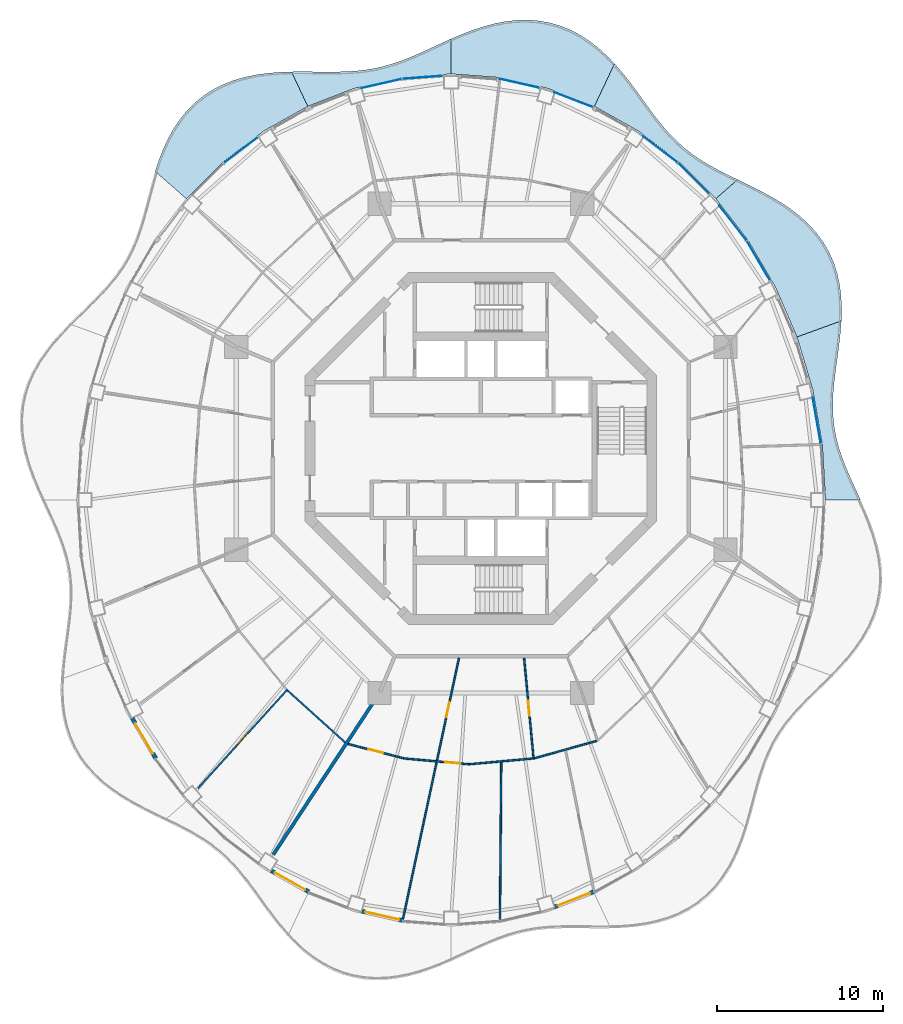
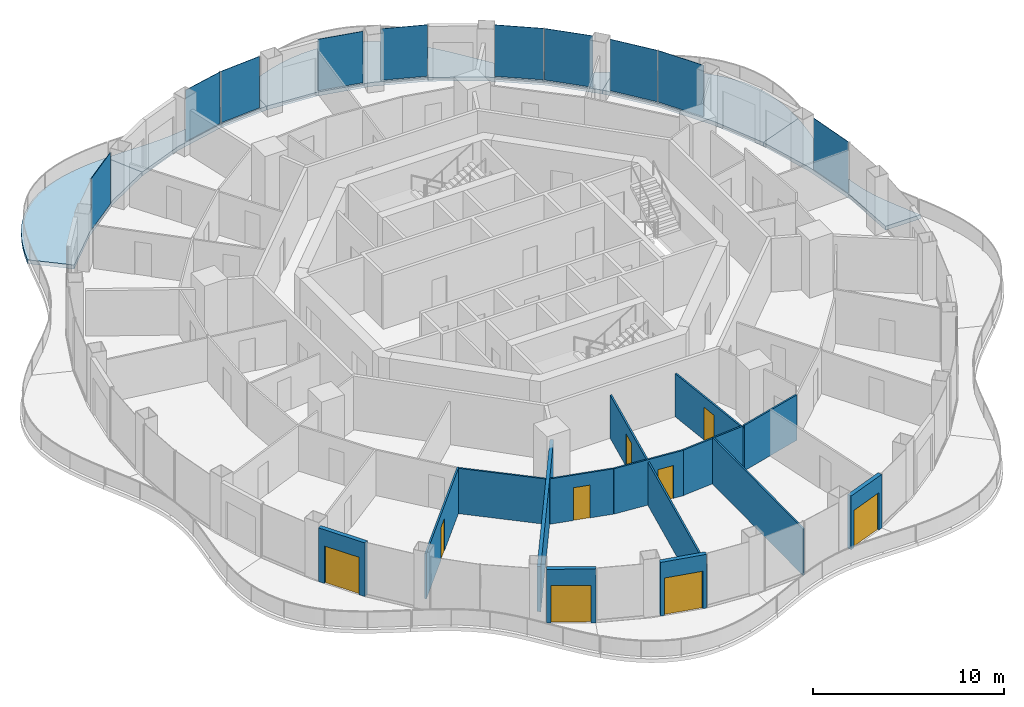
# One storey, part 9 of 17: 14 walls, 10 plates, 9 doors, 6 slabs, 9 openings, 10 elements without a shape of their own.
"""IFC4 building model written with IfcOpenShell, lengths in metres."""

from ifc_helpers import new_model, si_unit, direction, frame, frame_2d, origin, origin_2d, place, context, subcontext, project, spatial, polyline, rectangle, outline, extrude, material, layer, layer_set, type_object, element, fill, aggregate, save


model = new_model("IFC4")

# Units and contexts
model_context = context("Model", 3, precision=1e-05, world=origin(), true_north=direction((0.0, 1.0)))
body_context = subcontext(model_context, "Body", "Model", "MODEL_VIEW")
ifc_project = project(units=[si_unit("LENGTHUNIT", "METRE"), si_unit("AREAUNIT", "SQUARE_METRE"), si_unit("VOLUMEUNIT", "CUBIC_METRE"), si_unit("PLANEANGLEUNIT", "RADIAN"), si_unit("MASSUNIT", "GRAM", prefix="KILO")], contexts=[model_context])

# Site, building, storey
site_placement = place(None, origin())
site = spatial("IfcSite", under=ifc_project, at=site_placement, CompositionType="ELEMENT")
building_placement = place(site_placement, origin())
building = spatial("IfcBuilding", under=site, at=building_placement, Name="Nagisa Residences", CompositionType="ELEMENT")
storey_placement = place(building_placement, frame((0.0, 0.0, 291.800048828125)))
storey = spatial("IfcBuildingStorey", under=building, at=storey_placement, Name="L74", CompositionType="ELEMENT", Elevation=291.800048828125)

# Slabs
ifc_material_1 = material(Name="Concrete C40/50", Category="concrete")
ifc_layer_1 = layer(ifc_material_1, 0.25)
ifc_layer_set_1 = layer_set([ifc_layer_1], Name="BALCONY SLAB 250")
slab_type = type_object("IfcSlabType", Name="BALCONY SLAB 250", PredefinedType="FLOOR", material=ifc_layer_set_1)
slab_1_placement = place(storey_placement, frame((0.0, 0.0, -0.25)))
element("IfcSlab", 1, at=slab_1_placement, inside=storey, type_object=slab_type, Name="slab:L74:bal00", PredefinedType="FLOOR", context=body_context, shape_type="SweptSolid", body=[
    extrude(outline(polyline([(22.935302734375, -3.11767578125), (22.6279296875, -2.45068359375), (22.329345703125, -1.7958984375), (22.052001953125, -1.151123046875), (21.80615234375, -0.513916015625), (21.600830078125, 0.119384765625), (21.44140625, 0.7529296875), (21.33154296875, 1.390625), (21.271484375, 2.036376953125), (21.25830078125, 2.69384765625), (21.286865234375, 3.365478515625), (21.349365234375, 4.05322265625), (21.435546875, 4.757568359375), (21.533935546875, 5.477783203125), (21.6318359375, 6.211669921875), (21.7158203125, 6.9560546875), (21.772705078125, 7.7060546875), (19.09814453125, 6.732666015625), (20.04931640625, 3.544189453125), (20.62646484375, 0.241943359375), (20.820068359375, -3.11767578125), (22.935302734375, -3.11767578125)])), origin(), (0.0, 0.0, 1.0), 0.25),
])
slab_2_placement = place(storey_placement, frame((0.0, 0.0, -0.25)))
element("IfcSlab", 2, at=slab_2_placement, inside=storey, type_object=slab_type, Name="slab:L74:bal01", PredefinedType="FLOOR", context=body_context, shape_type="SweptSolid", body=[
    extrude(outline(polyline([(21.772705078125, 7.7060546875), (21.79052734375, 8.43310546875), (21.761474609375, 9.154541015625), (21.676513671875, 9.864013671875), (21.529541015625, 10.55517578125), (21.316162109375, 11.22216796875), (21.033935546875, 11.859375), (20.683837890625, 12.4619140625), (20.268310546875, 13.0263671875), (19.792724609375, 13.550537109375), (19.263671875, 14.03369140625), (18.689697265625, 14.476806640625), (18.0810546875, 14.882568359375), (17.44775390625, 15.255126953125), (16.800537109375, 15.60009765625), (16.150146484375, 15.92431640625), (15.506103515625, 16.235595703125), (14.19482421875, 15.083251953125), (16.145751953125, 12.5517578125), (17.78955078125, 9.752197265625), (19.09814453125, 6.732666015625), (21.772705078125, 7.7060546875)])), origin(), (0.0, 0.0, 1.0), 0.25),
])
slab_3_placement = place(storey_placement, frame((0.0, 0.0, -0.25)))
element("IfcSlab", 3, at=slab_3_placement, inside=storey, type_object=slab_type, Name="slab:L74:bal02", PredefinedType="FLOOR", context=body_context, shape_type="SweptSolid", body=[
    extrude(outline(polyline([(15.506103515625, 16.235595703125), (14.90576171875, 16.52783203125), (14.3251953125, 16.823486328125), (13.7685546875, 17.12939453125), (13.2392578125, 17.4521484375), (12.73828125, 17.7978515625), (12.26513671875, 18.1708984375), (11.817626953125, 18.574462890625), (11.39208984375, 19.009765625), (10.983642578125, 19.47705078125), (10.586669921875, 19.973876953125), (10.1943359375, 20.496337890625), (9.800048828125, 21.03857421875), (9.396728515625, 21.593505859375), (8.97802734375, 22.15234375), (8.5380859375, 22.70556640625), (8.072265625, 23.242919921875), (6.856201171875, 20.6630859375), (9.510009765625, 19.173828125), (11.97021484375, 17.30322265625), (14.19482421875, 15.083251953125), (15.506103515625, 16.235595703125)])), origin(), (0.0, 0.0, 1.0), 0.25),
])
slab_4_placement = place(storey_placement, frame((0.0, 0.0, -0.25)))
element("IfcSlab", 4, at=slab_4_placement, inside=storey, type_object=slab_type, Name="slab:L74:bal03", PredefinedType="FLOOR", context=body_context, shape_type="SweptSolid", body=[
    extrude(outline(polyline([(8.072265625, 23.242919921875), (7.595703125, 23.73583984375), (7.089599609375, 24.195068359375), (6.5537109375, 24.61181640625), (5.988037109375, 24.978271484375), (5.394775390625, 25.287841796875), (4.7763671875, 25.53515625), (4.136962890625, 25.716796875), (3.48046875, 25.831298828125), (2.8125, 25.878662109375), (2.1376953125, 25.861572265625), (1.46142578125, 25.783935546875), (0.788330078125, 25.651611328125), (0.12255859375, 25.4716796875), (-0.5322265625, 25.253173828125), (-1.173583984375, 25.005126953125), (-1.800048828125, 24.737548828125), (-1.800048828125, 22.622314453125), (1.152587890625, 22.402099609375), (4.054443359375, 21.745361328125), (6.856201171875, 20.6630859375), (8.072265625, 23.242919921875)])), origin(), (0.0, 0.0, 1.0), 0.25),
])
slab_5_placement = place(storey_placement, frame((0.0, 0.0, -0.25)))
element("IfcSlab", 5, at=slab_5_placement, inside=storey, type_object=slab_type, Name="slab:L74:bal04", PredefinedType="FLOOR", context=body_context, shape_type="SweptSolid", body=[
    extrude(outline(polyline([(-1.800048828125, 24.737548828125), (-2.4111328125, 24.460693359375), (-3.007568359375, 24.184326171875), (-3.591064453125, 23.917236328125), (-4.164306640625, 23.667724609375), (-4.73046875, 23.4423828125), (-5.29345703125, 23.246337890625), (-5.857177734375, 23.083251953125), (-6.42578125, 22.954345703125), (-7.0029296875, 22.859130859375), (-7.592041015625, 22.79541015625), (-8.1953125, 22.759033203125), (-8.814453125, 22.74462890625), (-9.449951171875, 22.744873046875), (-10.10107421875, 22.751953125), (-10.765625, 22.757080078125), (-11.44091796875, 22.751708984375), (-10.456298828125, 20.6630859375), (-7.654541015625, 21.745361328125), (-4.75244140625, 22.402099609375), (-1.800048828125, 22.622314453125), (-1.800048828125, 24.737548828125)])), origin(), (0.0, 0.0, 1.0), 0.25),
])
slab_6_placement = place(storey_placement, frame((0.0, 0.0, -0.25)))
element("IfcSlab", 6, at=slab_6_placement, inside=storey, type_object=slab_type, Name="slab:L74:bal05", PredefinedType="FLOOR", context=body_context, shape_type="SweptSolid", body=[
    extrude(outline(polyline([(-11.44091796875, 22.751708984375), (-12.14794921875, 22.725341796875), (-12.8564453125, 22.66845703125), (-13.559326171875, 22.572509765625), (-14.25, 22.43017578125), (-14.9208984375, 22.235595703125), (-15.565185546875, 21.984619140625), (-16.176025390625, 21.67529296875), (-16.74755859375, 21.306884765625), (-17.275390625, 20.881103515625), (-17.756103515625, 20.401123046875), (-18.187744140625, 19.871826171875), (-18.57080078125, 19.299560546875), (-18.90673828125, 18.691650390625), (-19.19873046875, 18.0556640625), (-19.4521484375, 17.400390625), (-19.673095703125, 16.73388671875), (-17.794677734375, 15.083251953125), (-15.570068359375, 17.30322265625), (-13.110107421875, 19.173828125), (-10.456298828125, 20.6630859375), (-11.44091796875, 22.751708984375)])), origin(), (0.0, 0.0, 1.0), 0.25),
])

# Curtain wall, plate
ifc_material_2 = material(Name="Concrete-coloured aluminium curtain wall system", Category="concrete")
ifc_layer_2 = layer(ifc_material_2, 0.159912109375)
ifc_layer_set_2 = layer_set([ifc_layer_2], Name="CW1 CURTAIN WALL")
curtain_wall_type = type_object("IfcCurtainWallType", Name="CW1 CURTAIN WALL", PredefinedType="NOTDEFINED", material=ifc_layer_set_2)
curtain_wall_1_placement = place(storey_placement, origin())
curtain_wall_1 = element("IfcCurtainWall", 7, at=curtain_wall_1_placement, inside=storey, type_object=curtain_wall_type, Name="cw:CW1:L74:01", PredefinedType="NOTDEFINED")
ifc_material_3 = material(Name="Clear laminated glass", Category="glass")
ifc_layer_3 = layer(ifc_material_3, 0.028076171875)
ifc_layer_set_3 = layer_set([ifc_layer_3], Name="CW1 GLASS PANEL")
plate_type = type_object("IfcPlateType", Name="CW1 GLASS PANEL", PredefinedType="CURTAIN_PANEL", material=ifc_layer_set_3)
plate_1_placement = place(storey_placement, frame((20.292724609375, 1.687255859375, 0.14990234375), z_axis=(0.0, 0.0, 1.0), x_axis=(-0.172190868898, 0.985063604377, 0.0)))
plate_1 = element("IfcPlate", 8, at=plate_1_placement, type_object=plate_type, Name="CW1 panel", PredefinedType="CURTAIN_PANEL", context=body_context, shape_type="SweptSolid", body=[
    extrude(rectangle(XDim=2.84228515625, YDim=0.028076171875, at=origin_2d()), origin(), (0.0, 0.0, 1.0), 3.2900390625),
])
aggregate(curtain_wall_1, [plate_1])

curtain_wall_2_placement = place(storey_placement, origin())
curtain_wall_2 = element("IfcCurtainWall", 9, at=curtain_wall_2_placement, inside=storey, type_object=curtain_wall_type, Name="cw:CW1:L74:04", PredefinedType="NOTDEFINED")
plate_2_placement = place(storey_placement, frame((16.76953125, 11.33154296875, 0.14990234375), z_axis=(0.0, 0.0, 1.0), x_axis=(-0.506348567002, 0.862328898214, 0.0)))
plate_2 = element("IfcPlate", 10, at=plate_2_placement, type_object=plate_type, Name="CW1 panel", PredefinedType="CURTAIN_PANEL", context=body_context, shape_type="SweptSolid", body=[
    extrude(rectangle(XDim=2.736572265625, YDim=0.028076171875, at=origin_2d()), origin(), (0.0, 0.0, 1.0), 3.2900390625),
])
aggregate(curtain_wall_2, [plate_2])

curtain_wall_3_placement = place(storey_placement, origin())
curtain_wall_3 = element("IfcCurtainWall", 11, at=curtain_wall_3_placement, inside=storey, type_object=curtain_wall_type, Name="cw:CW1:L74:05", PredefinedType="NOTDEFINED")
plate_3_placement = place(storey_placement, frame((15.225830078125, 13.6142578125, 0.14990234375), z_axis=(0.0, 0.0, 1.0), x_axis=(-0.610429828235, 0.792070340816, 0.0)))
plate_3 = element("IfcPlate", 12, at=plate_3_placement, type_object=plate_type, Name="CW1 panel", PredefinedType="CURTAIN_PANEL", context=body_context, shape_type="SweptSolid", body=[
    extrude(rectangle(XDim=2.68603515625, YDim=0.028076171875, at=origin_2d()), origin(), (0.0, 0.0, 1.0), 3.2900390625),
])
aggregate(curtain_wall_3, [plate_3])

curtain_wall_4_placement = place(storey_placement, origin())
curtain_wall_4 = element("IfcCurtainWall", 13, at=curtain_wall_4_placement, inside=storey, type_object=curtain_wall_type, Name="cw:CW1:L74:06", PredefinedType="NOTDEFINED")
plate_4_placement = place(storey_placement, frame((12.845458984375, 16.316650390625, 0.14990234375), z_axis=(0.0, 0.0, 1.0), x_axis=(-0.707835924016, 0.706376885714, 0.0)))
plate_4 = element("IfcPlate", 14, at=plate_4_placement, type_object=plate_type, Name="CW1 panel", PredefinedType="CURTAIN_PANEL", context=body_context, shape_type="SweptSolid", body=[
    extrude(rectangle(XDim=2.6328125, YDim=0.028076171875, at=origin_2d()), origin(), (0.0, 0.0, 1.0), 3.2900390625),
])
aggregate(curtain_wall_4, [plate_4])

curtain_wall_5_placement = place(storey_placement, origin())
curtain_wall_5 = element("IfcCurtainWall", 15, at=curtain_wall_5_placement, inside=storey, type_object=curtain_wall_type, Name="cw:CW1:L74:07", PredefinedType="NOTDEFINED")
plate_5_placement = place(storey_placement, frame((10.846923828125, 18.056884765625, 0.14990234375), z_axis=(0.0, 0.0, 1.0), x_axis=(-0.79603132756, 0.605255421737, 0.0)))
plate_5 = element("IfcPlate", 16, at=plate_5_placement, type_object=plate_type, Name="CW1 panel", PredefinedType="CURTAIN_PANEL", context=body_context, shape_type="SweptSolid", body=[
    extrude(rectangle(XDim=2.58056640625, YDim=0.028076171875, at=origin_2d()), origin(), (0.0, 0.0, 1.0), 3.2900390625),
])
aggregate(curtain_wall_5, [plate_5])

curtain_wall_6_placement = place(storey_placement, origin())
curtain_wall_6 = element("IfcCurtainWall", 17, at=curtain_wall_6_placement, inside=storey, type_object=curtain_wall_type, Name="cw:CW1:L74:09", PredefinedType="NOTDEFINED")
plate_6_placement = place(storey_placement, frame((5.6083984375, 21.059326171875, 0.14990234375), z_axis=(0.0, 0.0, 1.0), x_axis=(-0.932825759707, 0.360327770268, 0.0)))
plate_6 = element("IfcPlate", 18, at=plate_6_placement, type_object=plate_type, Name="CW1 panel", PredefinedType="CURTAIN_PANEL", context=body_context, shape_type="SweptSolid", body=[
    extrude(rectangle(XDim=2.49365234375, YDim=0.028076171875, at=origin_2d()), origin(), (0.0, 0.0, 1.0), 3.2900390625),
])
aggregate(curtain_wall_6, [plate_6])

curtain_wall_7_placement = place(storey_placement, origin())
curtain_wall_7 = element("IfcCurtainWall", 19, at=curtain_wall_7_placement, inside=storey, type_object=curtain_wall_type, Name="cw:CW1:L74:10", PredefinedType="NOTDEFINED")
plate_7_placement = place(storey_placement, frame((2.337158203125, 22.052001953125, 0.14990234375), z_axis=(0.0, 0.0, 1.0), x_axis=(-0.975327274089, 0.2207639201, 0.0)))
plate_7 = element("IfcPlate", 20, at=plate_7_placement, type_object=plate_type, Name="CW1 panel", PredefinedType="CURTAIN_PANEL", context=body_context, shape_type="SweptSolid", body=[
    extrude(rectangle(XDim=2.46533203125, YDim=0.028076171875, at=origin_2d()), origin(), (0.0, 0.0, 1.0), 3.2900390625),
])
aggregate(curtain_wall_7, [plate_7])

curtain_wall_8_placement = place(storey_placement, origin())
curtain_wall_8 = element("IfcCurtainWall", 21, at=curtain_wall_8_placement, inside=storey, type_object=curtain_wall_type, Name="cw:CW1:L74:12", PredefinedType="NOTDEFINED")
plate_8_placement = place(storey_placement, frame((-3.524658203125, 22.41357421875, 0.14990234375), z_axis=(0.0, 0.0, 1.0), x_axis=(-0.997230168512, -0.074377355493, 0.0)))
plate_8 = element("IfcPlate", 22, at=plate_8_placement, type_object=plate_type, Name="CW1 panel", PredefinedType="CURTAIN_PANEL", context=body_context, shape_type="SweptSolid", body=[
    extrude(rectangle(XDim=2.45068359375, YDim=0.028076171875, at=origin_2d()), origin(), (0.0, 0.0, 1.0), 3.2900390625),
])
aggregate(curtain_wall_8, [plate_8])

curtain_wall_9_placement = place(storey_placement, origin())
curtain_wall_9 = element("IfcCurtainWall", 23, at=curtain_wall_9_placement, inside=storey, type_object=curtain_wall_type, Name="cw:CW1:L74:13", PredefinedType="NOTDEFINED")
plate_9_placement = place(storey_placement, frame((-5.99560546875, 22.03857421875, 0.14990234375), z_axis=(0.0, 0.0, 1.0), x_axis=(-0.975327274089, -0.2207639201, 0.0)))
plate_9 = element("IfcPlate", 24, at=plate_9_placement, type_object=plate_type, Name="CW1 panel", PredefinedType="CURTAIN_PANEL", context=body_context, shape_type="SweptSolid", body=[
    extrude(rectangle(XDim=2.46533203125, YDim=0.028076171875, at=origin_2d()), origin(), (0.0, 0.0, 1.0), 3.2900390625),
])
aggregate(curtain_wall_9, [plate_9])

curtain_wall_10_placement = place(storey_placement, origin())
curtain_wall_10 = element("IfcCurtainWall", 25, at=curtain_wall_10_placement, inside=storey, type_object=curtain_wall_type, Name="cw:CW1:L74:16", PredefinedType="NOTDEFINED")
plate_10_placement = place(storey_placement, frame((-14.49462890625, 18.0205078125, 0.14990234375), z_axis=(0.0, 0.0, 1.0), x_axis=(-0.79603132756, -0.605255421737, 0.0)))
plate_10 = element("IfcPlate", 26, at=plate_10_placement, type_object=plate_type, Name="CW1 panel", PredefinedType="CURTAIN_PANEL", context=body_context, shape_type="SweptSolid", body=[
    extrude(rectangle(XDim=2.58056640625, YDim=0.028076171875, at=origin_2d()), origin(), (0.0, 0.0, 1.0), 3.2900390625),
])
aggregate(curtain_wall_10, [plate_10])

# Wall
ifc_material_4 = material(Name="Gypsum board on steel studs", Category="steel")
ifc_layer_4 = layer(ifc_material_4, 0.199951171875)
ifc_layer_set_4 = layer_set([ifc_layer_4], Name="Apartment compartment wall EI60 200")
wall_type_1 = type_object("IfcWallType", Name="Apartment compartment wall EI60 200", PredefinedType="PARTITIONING", material=ifc_layer_set_4)
wall_1_placement = place(storey_placement, frame((-6.150634765625, -14.82373046875, 0.0), z_axis=(0.0, 0.0, 1.0), x_axis=(-0.549345577828, -0.835595258556, 0.0)))
element("IfcWall", 27, at=wall_1_placement, inside=storey, type_object=wall_type_1, Name="wall:L74:u07", PredefinedType="PARTITIONING", context=body_context, shape_type="SweptSolid", body=[
    extrude(rectangle(XDim=11.619873046875, YDim=0.199951171875, at=frame_2d((5.81005859375, 0.0))), origin(), (0.0, 0.0, 1.0), 2.905029296875),
])

# Wall, opening, door
ifc_material_5 = material(Name="Gypsum board on steel studs", Category="steel")
ifc_layer_5 = layer(ifc_material_5, 0.10009765625)
ifc_layer_set_5 = layer_set([ifc_layer_5], Name="Apartment partition 100")
wall_type_2 = type_object("IfcWallType", Name="Apartment partition 100", PredefinedType="PARTITIONING", material=ifc_layer_set_5)
wall_2_placement = place(storey_placement, frame((-11.67919921875, -14.55712890625, 0.0), z_axis=(0.0, 0.0, 1.0), x_axis=(-0.670800011545, -0.741638284146, 0.0)))
wall_2 = element("IfcWall", 28, at=wall_2_placement, inside=storey, type_object=wall_type_2, Name="wall:L74:u50", PredefinedType="PARTITIONING", context=body_context, shape_type="SweptSolid", body=[
    extrude(rectangle(XDim=8.068115234375, YDim=0.10009765625, at=frame_2d((4.0341796875, 0.0))), origin(), (0.0, 0.0, 1.0), 2.905029296875),
])
opening_1_placement = place(wall_2_placement, frame((3.609130859375, 0.0, 0.0)))
opening_1 = element("IfcOpeningElement", 29, at=opening_1_placement, cuts=wall_2, Name="Opening L74-U38", PredefinedType="OPENING", context=body_context, shape_type="SweptSolid", body=[
    extrude(rectangle(XDim=0.89990234375, YDim=2.10009765625, at=frame_2d((0.449951171875, 1.050048828125))), frame((0.0, 0.06005859375, 0.0), z_axis=(0.0, -1.0, 0.0), x_axis=(1.0, 0.0, 0.0)), (0.0, 0.0, 1.0), 0.1201171875),
])
ifc_material_6 = material(Name="Timber door set", Category="wood")
door_type_1 = type_object("IfcDoorType", Name="Apartment door 900x2100", OperationType="NOTDEFINED", PredefinedType="DOOR", material=ifc_material_6)
door_1_placement = place(opening_1_placement, origin())
door_1 = element("IfcDoor", 30, at=door_1_placement, inside=storey, type_object=door_type_1, Name="Door to master bedroom, Apartment 74E", OperationType="SINGLE_SWING_RIGHT", OverallHeight=2.10009765625, OverallWidth=0.89990234375, PredefinedType="DOOR", context=body_context, shape_type="SweptSolid", body=[
    extrude(rectangle(XDim=0.89990234375, YDim=2.10009765625, at=frame_2d((0.449951171875, 1.050048828125))), frame((0.0, 0.02490234375, 0.0), z_axis=(0.0, -1.0, 0.0), x_axis=(1.0, 0.0, 0.0)), (0.0, 0.0, 1.0), 0.050048828125),
])
fill(opening_1, door_1)

# Wall
wall_3_placement = place(storey_placement, frame((-11.675537109375, -14.627685546875, 0.0), z_axis=(0.0, 0.0, 1.0), x_axis=(0.74245829867, -0.669892285921, 0.0)))
element("IfcWall", 31, at=wall_3_placement, inside=storey, type_object=wall_type_2, Name="wall:L74:u51", PredefinedType="PARTITIONING", context=body_context, shape_type="SweptSolid", body=[
    extrude(rectangle(XDim=4.679931640625, YDim=0.10009765625, at=frame_2d((2.33984375, 0.0))), origin(), (0.0, 0.0, 1.0), 2.905029296875),
])

# Wall, opening, door
wall_4_placement = place(storey_placement, frame((-8.02978515625, -17.8544921875, 0.0), z_axis=(0.0, 0.0, 1.0), x_axis=(0.968441967324, -0.249239154077, 0.0)))
wall_4 = element("IfcWall", 32, at=wall_4_placement, inside=storey, type_object=wall_type_2, Name="wall:L74:u52", PredefinedType="PARTITIONING", context=body_context, shape_type="SweptSolid", body=[
    extrude(rectangle(XDim=3.467529296875, YDim=0.10009765625, at=frame_2d((1.73388671875, 0.0))), origin(), (0.0, 0.0, 1.0), 2.905029296875),
])
opening_2_placement = place(wall_4_placement, frame((1.28369140625, 0.0, 0.0)))
opening_2 = element("IfcOpeningElement", 33, at=opening_2_placement, cuts=wall_4, Name="Opening L74-U11", PredefinedType="OPENING", context=body_context, shape_type="SweptSolid", body=[
    extrude(rectangle(XDim=0.89990234375, YDim=2.10009765625, at=frame_2d((0.449951171875, 1.050048828125))), frame((0.0, 0.06005859375, 0.0), z_axis=(0.0, -1.0, 0.0), x_axis=(1.0, 0.0, 0.0)), (0.0, 0.0, 1.0), 0.1201171875),
])
door_2_placement = place(opening_2_placement, frame((0.89990234375, 0.0, 0.0), x_axis=(-1.0, 0.0, 0.0)))
door_2 = element("IfcDoor", 34, at=door_2_placement, inside=storey, type_object=door_type_1, Name="Door to living room, Apartment 74A", OperationType="SINGLE_SWING_RIGHT", OverallHeight=2.10009765625, OverallWidth=0.89990234375, PredefinedType="DOOR", context=body_context, shape_type="SweptSolid", body=[
    extrude(rectangle(XDim=0.89990234375, YDim=2.10009765625, at=frame_2d((0.449951171875, 1.050048828125))), frame((0.0, 0.02490234375, 0.0), z_axis=(0.0, -1.0, 0.0), x_axis=(1.0, 0.0, 0.0)), (0.0, 0.0, 1.0), 0.050048828125),
])
fill(opening_2, door_2)

wall_5_placement = place(storey_placement, frame((-4.6728515625, -18.7265625, 0.0), z_axis=(0.0, 0.0, 1.0), x_axis=(0.995982840882, -0.089544294447, 0.0)))
wall_5 = element("IfcWall", 35, at=wall_5_placement, inside=storey, type_object=wall_type_2, Name="wall:L74:u53", PredefinedType="PARTITIONING", context=body_context, shape_type="SweptSolid", body=[
    extrude(rectangle(XDim=4.018798828125, YDim=0.10009765625, at=frame_2d((2.00927734375, 0.0))), origin(), (0.0, 0.0, 1.0), 2.905029296875),
])
opening_3_placement = place(wall_5_placement, frame((2.539306640625, 0.0, 0.0)))
opening_3 = element("IfcOpeningElement", 36, at=opening_3_placement, cuts=wall_5, Name="Opening L74-U08", PredefinedType="OPENING", context=body_context, shape_type="SweptSolid", body=[
    extrude(rectangle(XDim=0.89990234375, YDim=2.10009765625, at=frame_2d((0.449951171875, 1.050048828125))), frame((0.0, 0.06005859375, 0.0), z_axis=(0.0, -1.0, 0.0), x_axis=(1.0, 0.0, 0.0)), (0.0, 0.0, 1.0), 0.1201171875),
])
door_3_placement = place(opening_3_placement, frame((0.89990234375, 0.0, 0.0), x_axis=(-1.0, 0.0, 0.0)))
door_3 = element("IfcDoor", 37, at=door_3_placement, inside=storey, type_object=door_type_1, Name="Door to master bedroom, Apartment 74A", OperationType="SINGLE_SWING_LEFT", OverallHeight=2.10009765625, OverallWidth=0.89990234375, PredefinedType="DOOR", context=body_context, shape_type="SweptSolid", body=[
    extrude(rectangle(XDim=0.89990234375, YDim=2.10009765625, at=frame_2d((0.449951171875, 1.050048828125))), frame((0.0, 0.02490234375, 0.0), z_axis=(0.0, -1.0, 0.0), x_axis=(1.0, 0.0, 0.0)), (0.0, 0.0, 1.0), 0.050048828125),
])
fill(opening_3, door_3)

wall_6_placement = place(storey_placement, frame((-1.322021484375, -12.66259765625, 0.0), z_axis=(0.0, 0.0, 1.0), x_axis=(-0.209957681159, -0.97771047459, 0.0)))
wall_6 = element("IfcWall", 38, at=wall_6_placement, inside=storey, type_object=wall_type_2, Name="wall:L74:u54", PredefinedType="PARTITIONING", context=body_context, shape_type="SweptSolid", body=[
    extrude(rectangle(XDim=16.299072265625, YDim=0.10009765625, at=frame_2d((8.1494140625, 0.0))), origin(), (0.0, 0.0, 1.0), 2.761962890625),
])
opening_4_placement = place(wall_6_placement, frame((2.744140625, 0.0, 0.0)))
opening_4 = element("IfcOpeningElement", 39, at=opening_4_placement, cuts=wall_6, Name="Opening L74-U10", PredefinedType="OPENING", context=body_context, shape_type="SweptSolid", body=[
    extrude(rectangle(XDim=0.89990234375, YDim=2.10009765625, at=frame_2d((0.449951171875, 1.050048828125))), frame((0.0, 0.06005859375, 0.0), z_axis=(0.0, -1.0, 0.0), x_axis=(1.0, 0.0, 0.0)), (0.0, 0.0, 1.0), 0.1201171875),
])
door_4_placement = place(opening_4_placement, frame((0.89990234375, 0.0, 0.0), x_axis=(-1.0, 0.0, 0.0)))
door_4 = element("IfcDoor", 40, at=door_4_placement, inside=storey, type_object=door_type_1, Name="Door to store, Apartment 74A", OperationType="SINGLE_SWING_LEFT", OverallHeight=2.10009765625, OverallWidth=0.89990234375, PredefinedType="DOOR", context=body_context, shape_type="SweptSolid", body=[
    extrude(rectangle(XDim=0.89990234375, YDim=2.10009765625, at=frame_2d((0.449951171875, 1.050048828125))), frame((0.0, 0.02490234375, 0.0), z_axis=(0.0, -1.0, 0.0), x_axis=(1.0, 0.0, 0.0)), (0.0, 0.0, 1.0), 0.050048828125),
])
fill(opening_4, door_4)

# Walls
wall_7_placement = place(storey_placement, frame((-0.670166015625, -19.077392578125, 0.0), z_axis=(0.0, 0.0, 1.0), x_axis=(0.995986472869, 0.089503887414, 0.0)))
element("IfcWall", 41, at=wall_7_placement, inside=storey, type_object=wall_type_2, Name="wall:L74:u55", PredefinedType="PARTITIONING", context=body_context, shape_type="SweptSolid", body=[
    extrude(rectangle(XDim=3.81884765625, YDim=0.10009765625, at=frame_2d((1.909423828125, 0.0))), origin(), (0.0, 0.0, 1.0), 2.905029296875),
])
wall_8_placement = place(storey_placement, frame((1.231201171875, -18.95654296875, 0.0), z_axis=(0.0, 0.0, 1.0), x_axis=(-0.008128577452, -0.999966962569, 0.0)))
element("IfcWall", 42, at=wall_8_placement, inside=storey, type_object=wall_type_2, Name="wall:L74:u56", PredefinedType="PARTITIONING", context=body_context, shape_type="SweptSolid", body=[
    extrude(rectangle(XDim=9.64111328125, YDim=0.10009765625, at=frame_2d((4.820556640625, 0.0))), origin(), (0.0, 0.0, 1.0), 2.98291015625),
])

# Wall, opening, door
wall_9_placement = place(storey_placement, frame((2.611572265625, -12.664306640625, 0.0), z_axis=(0.0, 0.0, 1.0), x_axis=(0.093781393779, -0.995592813444, 0.0)))
wall_9 = element("IfcWall", 43, at=wall_9_placement, inside=storey, type_object=wall_type_2, Name="wall:L74:u57", PredefinedType="PARTITIONING", context=body_context, shape_type="SweptSolid", body=[
    extrude(rectangle(XDim=6.143798828125, YDim=0.10009765625, at=frame_2d((3.07177734375, 0.0))), origin(), (0.0, 0.0, 1.0), 2.761962890625),
])
opening_5_placement = place(wall_9_placement, frame((2.5966796875, 0.0, 0.0)))
opening_5 = element("IfcOpeningElement", 44, at=opening_5_placement, cuts=wall_9, Name="Opening L74-U07", PredefinedType="OPENING", context=body_context, shape_type="SweptSolid", body=[
    extrude(rectangle(XDim=0.89990234375, YDim=2.10009765625, at=frame_2d((0.449951171875, 1.050048828125))), frame((0.0, 0.06005859375, 0.0), z_axis=(0.0, -1.0, 0.0), x_axis=(1.0, 0.0, 0.0)), (0.0, 0.0, 1.0), 0.1201171875),
])
door_5_placement = place(opening_5_placement, frame((0.89990234375, 0.0, 0.0), x_axis=(-1.0, 0.0, 0.0)))
door_5 = element("IfcDoor", 45, at=door_5_placement, inside=storey, type_object=door_type_1, Name="Door to laundry, Apartment 74A", OperationType="SINGLE_SWING_RIGHT", OverallHeight=2.10009765625, OverallWidth=0.89990234375, PredefinedType="DOOR", context=body_context, shape_type="SweptSolid", body=[
    extrude(rectangle(XDim=0.89990234375, YDim=2.10009765625, at=frame_2d((0.449951171875, 1.050048828125))), frame((0.0, 0.02490234375, 0.0), z_axis=(0.0, -1.0, 0.0), x_axis=(1.0, 0.0, 0.0)), (0.0, 0.0, 1.0), 0.050048828125),
])
fill(opening_5, door_5)

# Wall
wall_10_placement = place(storey_placement, frame((3.231201171875, -18.7177734375, 0.0), z_axis=(0.0, 0.0, 1.0), x_axis=(0.963601204771, 0.267343820136, 0.0)))
element("IfcWall", 46, at=wall_10_placement, inside=storey, type_object=wall_type_2, Name="wall:L74:u58", PredefinedType="PARTITIONING", context=body_context, shape_type="SweptSolid", body=[
    extrude(rectangle(XDim=3.903076171875, YDim=0.10009765625, at=frame_2d((1.95166015625, 0.0))), origin(), (0.0, 0.0, 1.0), 2.905029296875),
])

# Wall, opening, door
ifc_material_7 = material(Name="Precast concrete C40/50", Category="concrete")
ifc_layer_6 = layer(ifc_material_7, 0.25)
ifc_layer_set_6 = layer_set([ifc_layer_6], Name="BALCONY DOOR WALL 250")
wall_type_3 = type_object("IfcWallType", Name="BALCONY DOOR WALL 250", PredefinedType="SOLIDWALL", material=ifc_layer_set_6)
wall_11_placement = place(storey_placement, frame((-19.637939453125, -18.723876953125, 0.0), z_axis=(0.0, 0.0, 1.0), x_axis=(-0.506371364425, 0.862315511452, 0.0)))
wall_11 = element("IfcWall", 47, at=wall_11_placement, inside=storey, type_object=wall_type_3, Name="wall:L74:bay28", PredefinedType="SOLIDWALL", context=body_context, shape_type="SweptSolid", body=[
    extrude(rectangle(XDim=2.79638671875, YDim=0.25, at=frame_2d((1.398193359375, 0.0))), origin(), (0.0, 0.0, 1.0), 3.43994140625),
])
opening_6_placement = place(wall_11_placement, frame((0.34814453125, 0.0, 0.0)))
opening_6 = element("IfcOpeningElement", 48, at=opening_6_placement, cuts=wall_11, Name="Opening BD-L74-10", PredefinedType="OPENING", context=body_context, shape_type="SweptSolid", body=[
    extrude(rectangle(XDim=2.10009765625, YDim=2.39990234375, at=frame_2d((1.050048828125, 1.199951171875))), frame((0.0, 0.135009765625, 0.0), z_axis=(0.0, -1.0, 0.0), x_axis=(1.0, 0.0, 0.0)), (0.0, 0.0, 1.0), 0.27001953125),
])
ifc_material_8 = material(Name="Aluminium and clear glass", Category="aluminium")
door_type_2 = type_object("IfcDoorType", Name="BALCONY SLIDING DOOR 2100x2400", OperationType="SLIDING_TO_LEFT", PredefinedType="DOOR", material=ifc_material_8)
door_6_placement = place(opening_6_placement, origin())
door_6 = element("IfcDoor", 49, at=door_6_placement, inside=storey, type_object=door_type_2, Name="door:L74:bay28", OperationType="SLIDING_TO_LEFT", OverallHeight=2.39990234375, OverallWidth=2.10009765625, PredefinedType="DOOR", context=body_context, shape_type="SweptSolid", body=[
    extrude(rectangle(XDim=2.10009765625, YDim=2.39990234375, at=frame_2d((1.050048828125, 1.199951171875))), frame((0.0, 0.02490234375, 0.0), z_axis=(0.0, -1.0, 0.0), x_axis=(1.0, 0.0, 0.0)), (0.0, 0.0, 1.0), 0.050048828125),
])
fill(opening_6, door_6)

wall_12_placement = place(storey_placement, frame((-10.39501953125, -26.789306640625, 0.0), z_axis=(0.0, 0.0, 1.0), x_axis=(-0.872115604046, 0.489299880625, 0.0)))
wall_12 = element("IfcWall", 50, at=wall_12_placement, inside=storey, type_object=wall_type_3, Name="wall:L74:bay32", PredefinedType="SOLIDWALL", context=body_context, shape_type="SweptSolid", body=[
    extrude(rectangle(XDim=2.593017578125, YDim=0.25, at=frame_2d((1.29638671875, 0.0))), origin(), (0.0, 0.0, 1.0), 3.43994140625),
])
opening_7_placement = place(wall_12_placement, frame((0.24658203125, 0.0, 0.0)))
opening_7 = element("IfcOpeningElement", 51, at=opening_7_placement, cuts=wall_12, Name="Opening BD-L74-11", PredefinedType="OPENING", context=body_context, shape_type="SweptSolid", body=[
    extrude(rectangle(XDim=2.10009765625, YDim=2.39990234375, at=frame_2d((1.050048828125, 1.199951171875))), frame((0.0, 0.135009765625, 0.0), z_axis=(0.0, -1.0, 0.0), x_axis=(1.0, 0.0, 0.0)), (0.0, 0.0, 1.0), 0.27001953125),
])
door_7_placement = place(opening_7_placement, origin())
door_7 = element("IfcDoor", 52, at=door_7_placement, inside=storey, type_object=door_type_2, Name="door:L74:bay32", OperationType="SLIDING_TO_LEFT", OverallHeight=2.39990234375, OverallWidth=2.10009765625, PredefinedType="DOOR", context=body_context, shape_type="SweptSolid", body=[
    extrude(rectangle(XDim=2.10009765625, YDim=2.39990234375, at=frame_2d((1.050048828125, 1.199951171875))), frame((0.0, 0.02490234375, 0.0), z_axis=(0.0, -1.0, 0.0), x_axis=(1.0, 0.0, 0.0)), (0.0, 0.0, 1.0), 0.050048828125),
])
fill(opening_7, door_7)

wall_13_placement = place(storey_placement, frame((-4.724853515625, -28.515625, 0.0), z_axis=(0.0, 0.0, 1.0), x_axis=(-0.975319584032, 0.220797891756, 0.0)))
wall_13 = element("IfcWall", 53, at=wall_13_placement, inside=storey, type_object=wall_type_3, Name="wall:L74:bay34", PredefinedType="SOLIDWALL", context=body_context, shape_type="SweptSolid", body=[
    extrude(rectangle(XDim=2.525390625, YDim=0.25, at=frame_2d((1.2626953125, 0.0))), origin(), (0.0, 0.0, 1.0), 3.43994140625),
])
opening_8_placement = place(wall_13_placement, frame((0.212646484375, 0.0, 0.0)))
opening_8 = element("IfcOpeningElement", 54, at=opening_8_placement, cuts=wall_13, Name="Opening BD-L74-12", PredefinedType="OPENING", context=body_context, shape_type="SweptSolid", body=[
    extrude(rectangle(XDim=2.10009765625, YDim=2.39990234375, at=frame_2d((1.050048828125, 1.199951171875))), frame((0.0, 0.135009765625, 0.0), z_axis=(0.0, -1.0, 0.0), x_axis=(1.0, 0.0, 0.0)), (0.0, 0.0, 1.0), 0.27001953125),
])
door_8_placement = place(opening_8_placement, origin())
door_8 = element("IfcDoor", 55, at=door_8_placement, inside=storey, type_object=door_type_2, Name="door:L74:bay34", OperationType="SLIDING_TO_LEFT", OverallHeight=2.39990234375, OverallWidth=2.10009765625, PredefinedType="DOOR", context=body_context, shape_type="SweptSolid", body=[
    extrude(rectangle(XDim=2.10009765625, YDim=2.39990234375, at=frame_2d((1.050048828125, 1.199951171875))), frame((0.0, 0.02490234375, 0.0), z_axis=(0.0, -1.0, 0.0), x_axis=(1.0, 0.0, 0.0)), (0.0, 0.0, 1.0), 0.050048828125),
])
fill(opening_8, door_8)

wall_14_placement = place(storey_placement, frame((6.811279296875, -26.78173828125, 0.0), z_axis=(0.0, 0.0, 1.0), x_axis=(-0.93282223778, -0.360336887792, 0.0)))
wall_14 = element("IfcWall", 56, at=wall_14_placement, inside=storey, type_object=wall_type_3, Name="wall:L74:bay38", PredefinedType="SOLIDWALL", context=body_context, shape_type="SweptSolid", body=[
    extrude(rectangle(XDim=2.5537109375, YDim=0.25, at=frame_2d((1.27685546875, 0.0))), origin(), (0.0, 0.0, 1.0), 3.43994140625),
])
opening_9_placement = place(wall_14_placement, frame((0.226806640625, 0.0, 0.0)))
opening_9 = element("IfcOpeningElement", 57, at=opening_9_placement, cuts=wall_14, Name="Opening BD-L74-13", PredefinedType="OPENING", context=body_context, shape_type="SweptSolid", body=[
    extrude(rectangle(XDim=2.10009765625, YDim=2.39990234375, at=frame_2d((1.050048828125, 1.199951171875))), frame((0.0, 0.135009765625, 0.0), z_axis=(0.0, -1.0, 0.0), x_axis=(1.0, 0.0, 0.0)), (0.0, 0.0, 1.0), 0.27001953125),
])
door_9_placement = place(opening_9_placement, origin())
door_9 = element("IfcDoor", 58, at=door_9_placement, inside=storey, type_object=door_type_2, Name="door:L74:bay38", OperationType="SLIDING_TO_LEFT", OverallHeight=2.39990234375, OverallWidth=2.10009765625, PredefinedType="DOOR", context=body_context, shape_type="SweptSolid", body=[
    extrude(rectangle(XDim=2.10009765625, YDim=2.39990234375, at=frame_2d((1.050048828125, 1.199951171875))), frame((0.0, 0.02490234375, 0.0), z_axis=(0.0, -1.0, 0.0), x_axis=(1.0, 0.0, 0.0)), (0.0, 0.0, 1.0), 0.050048828125),
])
fill(opening_9, door_9)

save(model, "model.ifc")
